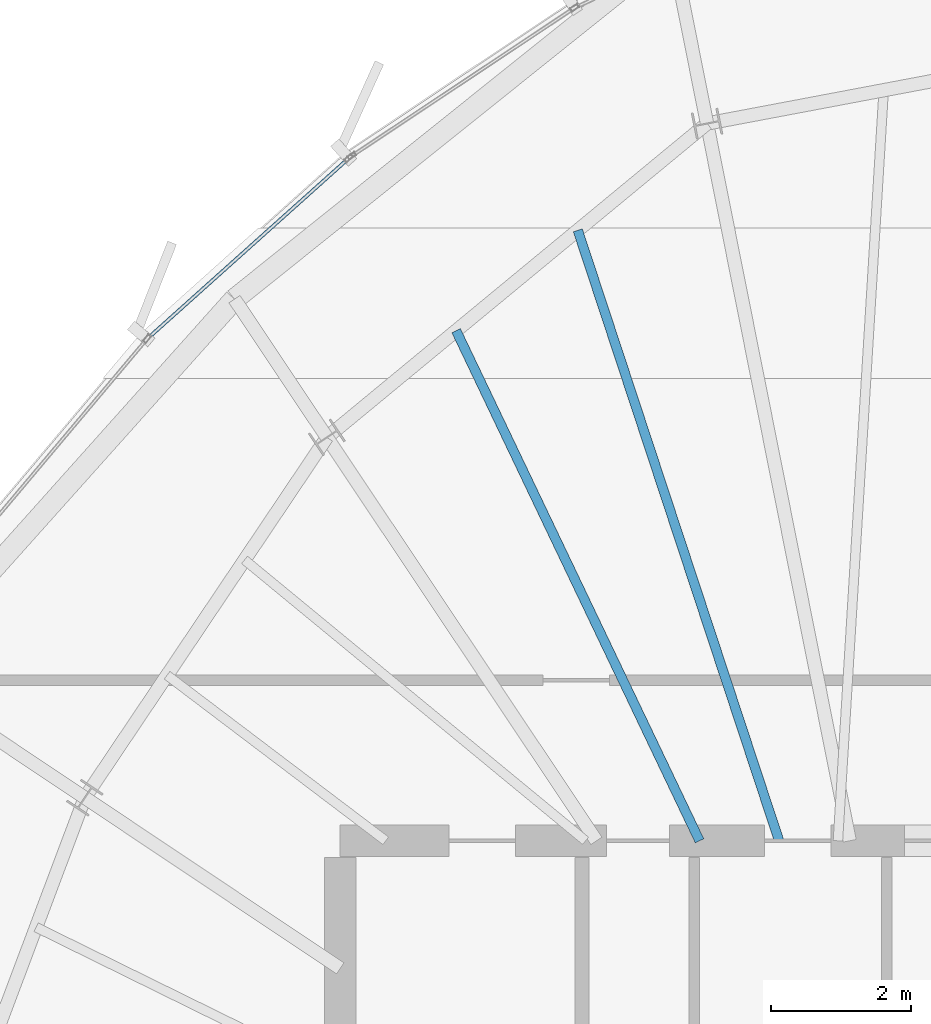
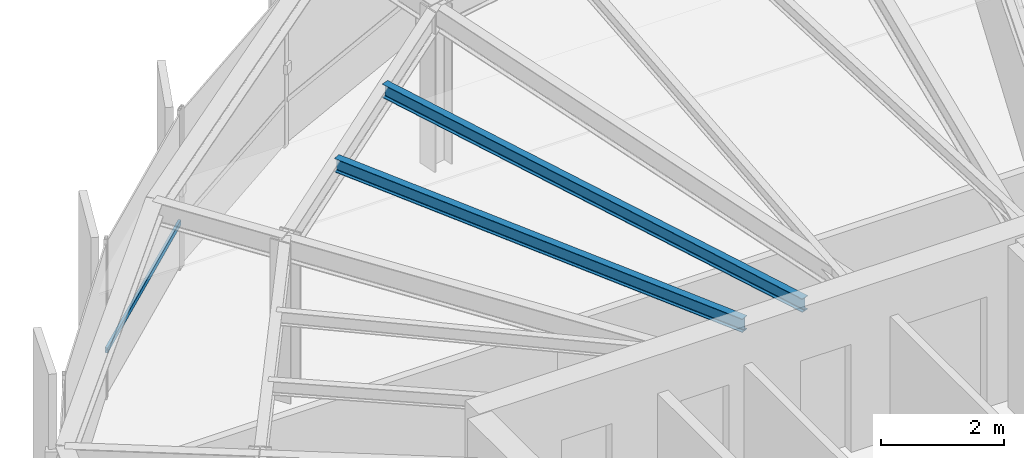
# One storey, part 18 of 31: 2 beams, 1 member, 1 element without a shape of its own.
"""IFC4 building model written with IfcOpenShell, lengths in metres."""

from ifc_helpers import new_model, si_unit, direction, frame, origin, origin_2d, place, context, subcontext, project, spatial, hollow_rectangle, i_section, extrude, source, transform, mapped, material, layer, layer_set, material_profile, profile_set, type_object, element, aggregate, save


model = new_model("IFC4")

# Units and contexts
model_context = context("Model", 3, precision=1e-05, world=origin(), true_north=direction((0.0, 1.0)))
body_context = subcontext(model_context, "Body", "Model", "MODEL_VIEW")
ifc_project = project(units=[si_unit("LENGTHUNIT", "METRE"), si_unit("AREAUNIT", "SQUARE_METRE"), si_unit("VOLUMEUNIT", "CUBIC_METRE"), si_unit("PLANEANGLEUNIT", "RADIAN"), si_unit("MASSUNIT", "GRAM", prefix="KILO"), si_unit("THERMODYNAMICTEMPERATUREUNIT", "KELVIN")], contexts=[model_context])

# Site, building, storey
site_placement = place(None, origin())
site = spatial("IfcSite", under=ifc_project, at=site_placement, CompositionType="ELEMENT")
building_placement = place(site_placement, origin())
building = spatial("IfcBuilding", under=site, at=building_placement, Name="Kethvar Cultural Tower", CompositionType="ELEMENT")
storey_placement = place(building_placement, frame((0.0, 0.0, 283.60009765625)))
storey = spatial("IfcBuildingStorey", under=building, at=storey_placement, Name="L75", CompositionType="ELEMENT", Elevation=283.60009765625)

# Beams
ifc_material_1 = material(Name="Steel S355J2", Category="steel")
ifc_material_profile_1 = material_profile(ifc_material_1, i_section(OverallWidth=0.135009765625, OverallDepth=0.27001953125, WebThickness=0.006591796875, FlangeThickness=0.01025390625, FilletRadius=0.014892578125, at=origin_2d()), Name="Steel S355J2 — IPE270")
ifc_profile_set_1 = profile_set([ifc_material_profile_1], Name="Steel S355J2 — IPE270")
beam_type = type_object("IfcBeamType", Name="BM-J270", PredefinedType="JOIST", material=ifc_profile_set_1)
shared_shape_1 = source(origin(), body_context, "Body", "SweptSolid", [
    extrude(i_section(OverallWidth=0.135009765625, OverallDepth=0.27001953125, WebThickness=0.006591796875, FlangeThickness=0.01025390625, FilletRadius=0.014892578125, at=origin_2d()), origin(), (0.0, 0.0, 1.0), 9.17138671875),
])
beam_1_placement = place(storey_placement, frame((44.260986328125, 35.5, 3.072998046875), z_axis=(-0.313151555446, 0.949703165901, 0.0), x_axis=(-0.949703165901, -0.313151555446, 0.0)))
element("IfcBeam", 1, at=beam_1_placement, inside=storey, type_object=beam_type, Name="L75 Composite Floor Joist J-05A", PredefinedType="JOIST", context=body_context, shape_type="MappedRepresentation", body=[
    mapped(shared_shape_1, transform((0.0, 0.0, 0.0), scale=1.0)),
])
shared_shape_2 = source(origin(), body_context, "Body", "SweptSolid", [
    extrude(i_section(OverallWidth=0.135009765625, OverallDepth=0.27001953125, WebThickness=0.006591796875, FlangeThickness=0.01025390625, FilletRadius=0.014892578125, at=origin_2d()), origin(), (0.0, 0.0, 1.0), 8.063232421875),
])
beam_2_placement = place(storey_placement, frame((43.1259765625, 35.5, 3.072998046875), z_axis=(-0.430642151588, 0.902522762746, 0.0), x_axis=(-0.902522762746, -0.430642151588, 0.0)))
element("IfcBeam", 2, at=beam_2_placement, inside=storey, type_object=beam_type, Name="L75 Composite Floor Joist J-05B", PredefinedType="JOIST", context=body_context, shape_type="MappedRepresentation", body=[
    mapped(shared_shape_2, transform((0.0, 0.0, 0.0), scale=1.0)),
])

# Curtain wall, member
ifc_material_2 = material(Name="Aluminium 6063-T6", Category="aluminium")
ifc_layer = layer(ifc_material_2, 0.179931640625, Name="Aluminium 6063-T6", Category="aluminium")
ifc_layer_set = layer_set([ifc_layer], Name="Aluminium 6063-T6 (180 mm)")
curtain_wall_type = type_object("IfcCurtainWallType", Name="CW-SYS-05-Z56", PredefinedType="NOTDEFINED", material=ifc_layer_set)
curtain_wall_placement = place(storey_placement, origin())
curtain_wall = element("IfcCurtainWall", 3, at=curtain_wall_placement, inside=storey, type_object=curtain_wall_type, Name="L75 Curtain Wall Run 02", PredefinedType="NOTDEFINED")
ifc_material_profile_2 = material_profile(ifc_material_2, hollow_rectangle(XDim=0.050048828125, YDim=0.10009765625, WallThickness=0.00390625, at=origin_2d()), Name="Aluminium 6063-T6 — RHS100x50x4")
ifc_profile_set_2 = profile_set([ifc_material_profile_2], Name="Aluminium 6063-T6 — RHS100x50x4")
member_type = type_object("IfcMemberType", Name="CW-SYS-05-Z56-TRN", PredefinedType="USERDEFINED", material=ifc_profile_set_2)
shared_shape_3 = source(origin(), body_context, "Body", "SweptSolid", [
    extrude(hollow_rectangle(XDim=0.050048828125, YDim=0.10009765625, WallThickness=0.00390625, at=origin_2d()), origin(), (0.0, 0.0, 1.0), 3.8330078125),
])
member_placement = place(storey_placement, frame((38.11865234375, 45.234619140625, 0.949951171875), z_axis=(-0.744771362458, -0.667319726715, 0.0), x_axis=(0.667319726715, -0.744771362458, 0.0)))
member = element("IfcMember", 4, at=member_placement, type_object=member_type, Name="CW-L75-R02 Transom 1", ObjectType="TRANSOM", PredefinedType="USERDEFINED", context=body_context, shape_type="MappedRepresentation", body=[
    mapped(shared_shape_3, transform((0.0, 0.0, 0.0), scale=1.0)),
])
aggregate(curtain_wall, [member])

save(model, "model.ifc")
